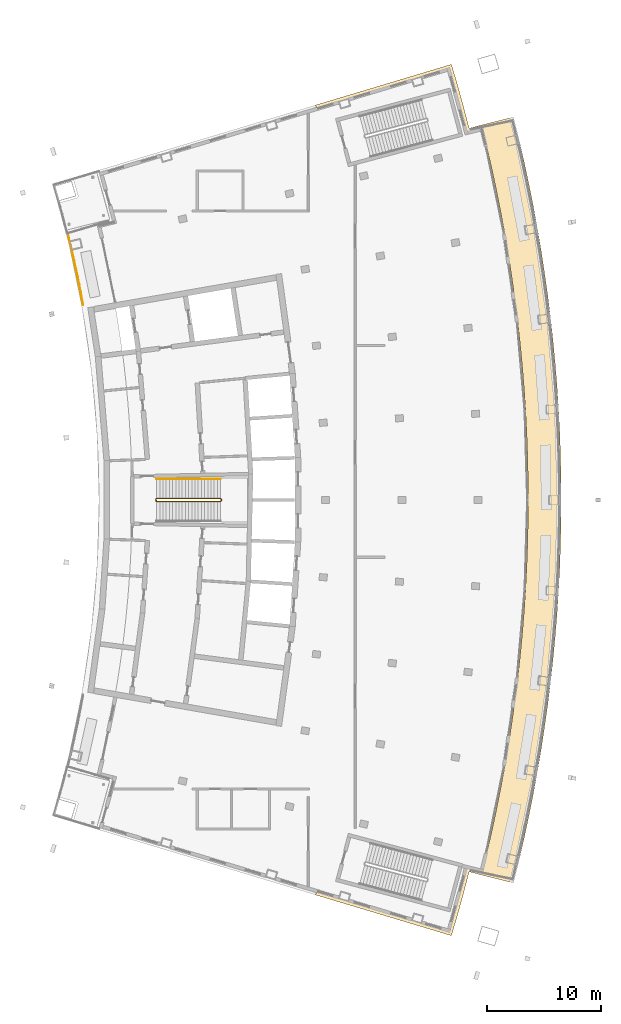
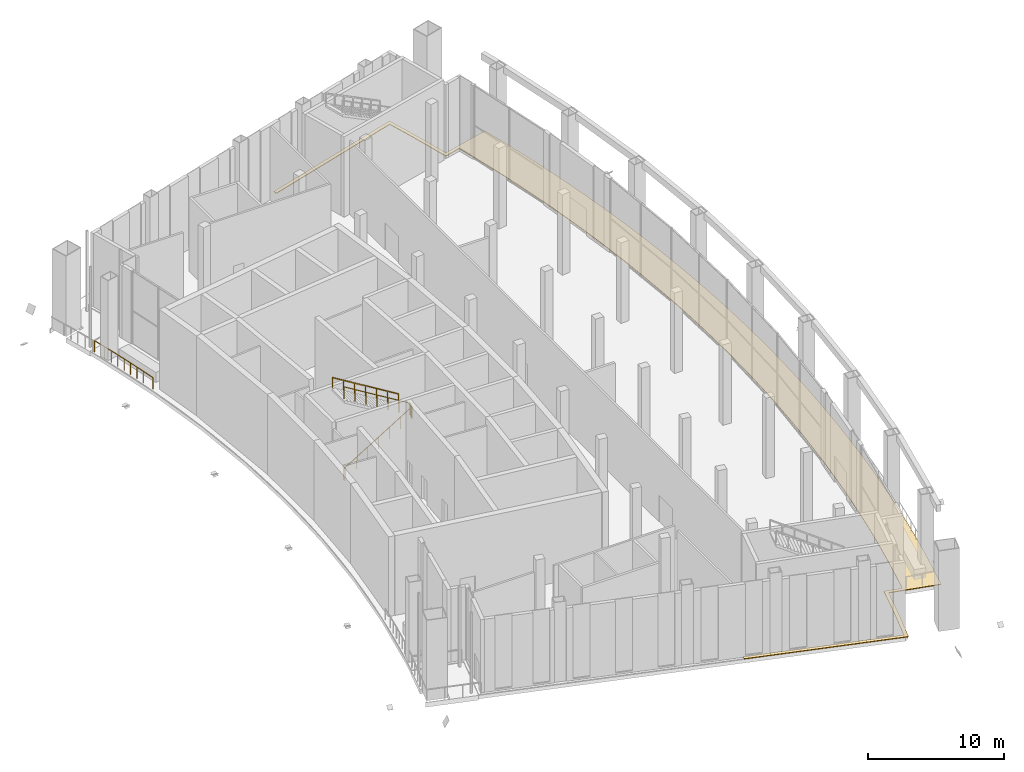
# One storey, part 22 of 25: 3 railings, 1 covering.
"""IFC4 building model written with IfcOpenShell, lengths in metres."""

from ifc_helpers import new_model, si_unit, direction, frame, origin, origin_2d, place, context, subcontext, project, spatial, polyline, rectangle, outline, extrude, material, layer, layer_set, type_object, element, save


model = new_model("IFC4")

# Units and contexts
model_context = context("Model", 3, precision=1e-05, world=origin(), true_north=direction((0.0, 1.0)))
body_context = subcontext(model_context, "Body", "Model", "MODEL_VIEW")
ifc_project = project(units=[si_unit("LENGTHUNIT", "METRE"), si_unit("AREAUNIT", "SQUARE_METRE"), si_unit("VOLUMEUNIT", "CUBIC_METRE"), si_unit("PLANEANGLEUNIT", "RADIAN"), si_unit("MASSUNIT", "GRAM", prefix="KILO")], contexts=[model_context])

# Site, building, storey
site_placement = place(None, origin())
site = spatial("IfcSite", under=ifc_project, at=site_placement, CompositionType="ELEMENT")
building_placement = place(site_placement, origin())
building = spatial("IfcBuilding", under=site, at=building_placement, Name="Alderwake Tower", CompositionType="ELEMENT")
storey_placement = place(building_placement, frame((0.0, 0.0, 288.800048828125)))
storey = spatial("IfcBuildingStorey", under=building, at=storey_placement, Name="L72", CompositionType="ELEMENT", Elevation=288.800048828125)

# Railing
ifc_material_1 = material(Name="Stainless steel 316 rail and posts", Category="steel")
railing_type_1 = type_object("IfcRailingType", Name="Balcony guard 1100", PredefinedType="GUARDRAIL", material=ifc_material_1)
railing_1_placement = place(storey_placement, frame((14.62890625, 78.035888671875, 0.0)))
element("IfcRailing", 1, at=railing_1_placement, inside=storey, type_object=railing_type_1, Name="Guard garden terrace rear", PredefinedType="GUARDRAIL", context=body_context, shape_type="SweptSolid", body=[
    extrude(rectangle(XDim=0.048095703125, YDim=0.048095703125, at=origin_2d()), frame((0.0, 0.0, 1.076171875), z_axis=(-0.182977626426, 0.983117077579, 0.0), x_axis=(-0.983117077579, -0.182977626426, 0.0)), (0.0, 0.0, 1.0), 1.10205078125),
    extrude(rectangle(XDim=0.048095703125, YDim=0.048095703125, at=origin_2d()), frame((-0.20166015625, 1.08349609375, 1.076171875), z_axis=(-0.1955468343, 0.980694364007, 0.0), x_axis=(-0.980694364007, -0.1955468343, 0.0)), (0.0, 0.0, 1.0), 1.402099609375),
    extrude(rectangle(XDim=0.048095703125, YDim=0.048095703125, at=origin_2d()), frame((-0.475830078125, 2.45849609375, 1.076171875), z_axis=(-0.209957084556, 0.977710602707, 0.0), x_axis=(-0.977710602707, -0.209957084556, 0.0)), (0.0, 0.0, 1.0), 1.40234375),
    extrude(rectangle(XDim=0.048095703125, YDim=0.048095703125, at=origin_2d()), frame((-0.770263671875, 3.82958984375, 1.076171875), z_axis=(-0.224096426432, 0.974566976488, 0.0), x_axis=(-0.974566976488, -0.224096426432, 0.0)), (0.0, 0.0, 1.0), 1.402099609375),
    extrude(rectangle(XDim=0.048095703125, YDim=0.048095703125, at=origin_2d()), frame((-1.08447265625, 5.196044921875, 1.076171875), z_axis=(-0.23679809516, 0.971558882481, 0.0), x_axis=(-0.971558882481, -0.23679809516, 0.0)), (0.0, 0.0, 1.0), 1.10205078125),
    extrude(rectangle(XDim=0.0419921875, YDim=0.0419921875, at=origin_2d()), frame((0.0, 0.0, 0.0), z_axis=(0.0, 0.0, 1.0), x_axis=(-0.182977626426, 0.983117077579, 0.0)), (0.0, 0.0, 1.0), 1.052001953125),
    extrude(rectangle(XDim=0.0419921875, YDim=0.0419921875, at=origin_2d()), frame((-0.20166015625, 1.08349609375, 0.0), z_axis=(0.0, 0.0, 1.0), x_axis=(-0.1955468343, 0.980694364007, 0.0)), (0.0, 0.0, 1.0), 1.052001953125),
    extrude(rectangle(XDim=0.0419921875, YDim=0.0419921875, at=origin_2d()), frame((-0.3388671875, 1.77099609375, 0.0), z_axis=(0.0, 0.0, 1.0), x_axis=(-0.1955468343, 0.980694364007, 0.0)), (0.0, 0.0, 1.0), 1.052001953125),
    extrude(rectangle(XDim=0.0419921875, YDim=0.0419921875, at=origin_2d()), frame((-0.475830078125, 2.45849609375, 0.0), z_axis=(0.0, 0.0, 1.0), x_axis=(-0.209957084556, 0.977710602707, 0.0)), (0.0, 0.0, 1.0), 1.052001953125),
    extrude(rectangle(XDim=0.0419921875, YDim=0.0419921875, at=origin_2d()), frame((-0.623046875, 3.14404296875, 0.0), z_axis=(0.0, 0.0, 1.0), x_axis=(-0.209957084556, 0.977710602707, 0.0)), (0.0, 0.0, 1.0), 1.052001953125),
    extrude(rectangle(XDim=0.0419921875, YDim=0.0419921875, at=origin_2d()), frame((-0.770263671875, 3.82958984375, 0.0), z_axis=(0.0, 0.0, 1.0), x_axis=(-0.224096426432, 0.974566976488, 0.0)), (0.0, 0.0, 1.0), 1.052001953125),
    extrude(rectangle(XDim=0.0419921875, YDim=0.0419921875, at=origin_2d()), frame((-0.92724609375, 4.5126953125, 0.0), z_axis=(0.0, 0.0, 1.0), x_axis=(-0.224096426432, 0.974566976488, 0.0)), (0.0, 0.0, 1.0), 1.052001953125),
    extrude(rectangle(XDim=0.0419921875, YDim=0.0419921875, at=origin_2d()), frame((-1.08447265625, 5.196044921875, 0.0), z_axis=(0.0, 0.0, 1.0), x_axis=(-0.23679809516, 0.971558882481, 0.0)), (0.0, 0.0, 1.0), 1.052001953125),
    extrude(rectangle(XDim=0.0419921875, YDim=0.0419921875, at=origin_2d()), frame((-1.345458984375, 6.266845703125, 0.0), z_axis=(0.0, 0.0, 1.0), x_axis=(-0.23679809516, 0.971558882481, 0.0)), (0.0, 0.0, 1.0), 1.052001953125),
])

# Covering
ifc_material_2 = material(Name="Bronze-grey porcelain paving on pedestals")
ifc_layer = layer(ifc_material_2, 0.06005859375)
ifc_layer_set = layer_set([ifc_layer], Name="Garden terrace paving 60")
covering_type = type_object("IfcCoveringType", Name="Garden terrace paving 60", PredefinedType="FLOORING", material=ifc_layer_set)
covering_placement = place(storey_placement, origin())
element("IfcCovering", 2, at=covering_placement, inside=storey, type_object=covering_type, Name="Garden terrace paving front", PredefinedType="FLOORING", context=body_context, shape_type="SweptSolid", body=[
    extrude(outline(polyline([(46.80810546875, 99.071533203125), (34.931884765625, 95.505859375), (34.931884765625, 95.505859375), (35.01611328125, 95.218017578125), (46.60498046875, 98.697265625), (47.061279296875, 97.135986328125), (47.57470703125, 95.279296875), (48.136962890625, 93.125), (49.48974609375, 93.467529296875), (49.88232421875, 91.8681640625), (50.318603515625, 89.970703125), (50.727294921875, 88.0673828125), (51.108154296875, 86.157958984375), (51.4609375, 84.243408203125), (51.785888671875, 82.323974609375), (52.0830078125, 80.39990234375), (52.351806640625, 78.4716796875), (52.592529296875, 76.539794921875), (52.804931640625, 74.6044921875), (52.9892578125, 72.666259765625), (53.145263671875, 70.725830078125), (53.27294921875, 68.783203125), (53.372314453125, 66.8388671875), (53.443115234375, 64.893310546875), (53.48583984375, 62.94677734375), (53.5, 61.0), (53.48583984375, 59.05322265625), (53.443115234375, 57.106689453125), (53.372314453125, 55.1611328125), (53.27294921875, 53.216796875), (53.145263671875, 51.274169921875), (52.9892578125, 49.333740234375), (52.804931640625, 47.3955078125), (52.592529296875, 45.460205078125), (52.351806640625, 43.5283203125), (52.0830078125, 41.60009765625), (51.785888671875, 39.676025390625), (51.4609375, 37.756591796875), (51.108154296875, 35.842041015625), (50.727294921875, 33.9326171875), (50.318603515625, 32.029296875), (49.88232421875, 30.1318359375), (49.48974609375, 28.532470703125), (48.136962890625, 28.875), (47.57470703125, 26.720703125), (47.061279296875, 24.864013671875), (46.60498046875, 23.302734375), (35.01611328125, 26.781982421875), (34.931884765625, 26.494140625), (34.931884765625, 26.494140625), (46.80810546875, 22.928466796875), (47.349853515625, 24.78173828125), (47.864501953125, 26.642822265625), (48.35205078125, 28.510986328125), (52.229736328125, 27.529541015625), (52.70361328125, 29.461181640625), (53.1494140625, 31.39990234375), (53.56689453125, 33.3447265625), (53.9560546875, 35.29541015625), (54.316650390625, 37.251708984375), (54.648681640625, 39.212890625), (54.9521484375, 41.1787109375), (55.226806640625, 43.14892578125), (55.472900390625, 45.122802734375), (55.68994140625, 47.10009765625), (55.878173828125, 49.080078125), (56.03759765625, 51.06298828125), (56.16796875, 53.0478515625), (56.26953125, 55.034423828125), (56.342041015625, 57.022216796875), (56.385498046875, 59.010986328125), (56.39990234375, 61.0), (56.385498046875, 62.989013671875), (56.342041015625, 64.977783203125), (56.26953125, 66.965576171875), (56.16796875, 68.9521484375), (56.03759765625, 70.93701171875), (55.878173828125, 72.919921875), (55.68994140625, 74.89990234375), (55.472900390625, 76.877197265625), (55.226806640625, 78.85107421875), (54.9521484375, 80.8212890625), (54.648681640625, 82.787109375), (54.316650390625, 84.748291015625), (53.9560546875, 86.70458984375), (53.56689453125, 88.6552734375), (53.1494140625, 90.60009765625), (52.70361328125, 92.538818359375), (52.229736328125, 94.470458984375), (48.35205078125, 93.489013671875), (47.864501953125, 95.357177734375), (47.349853515625, 97.21826171875), (46.80810546875, 99.071533203125)])), origin(), (0.0, 0.0, 1.0), 0.06005859375),
])

# Railings
ifc_material_3 = material(Name="Stainless steel guard", Category="steel")
railing_type_2 = type_object("IfcRailingType", Name="Stair guard 1100", PredefinedType="GUARDRAIL", material=ifc_material_3)
railing_2_placement = place(storey_placement, frame((20.989990234375, 60.925048828125, 0.0)))
element("IfcRailing", 3, at=railing_2_placement, inside=storey, type_object=railing_type_2, Name="L72 ST-B stair guard 1", PredefinedType="GUARDRAIL", context=body_context, shape_type="SweptSolid", body=[
    extrude(rectangle(XDim=0.048095703125, YDim=0.048095703125, at=origin_2d()), frame((0.0, 0.0, 1.076171875), z_axis=(0.0, 1.0, 0.0), x_axis=(-1.0, 0.0, 0.0)), (0.0, 0.0, 1.0), 0.14990234375),
    extrude(rectangle(XDim=0.048095703125, YDim=0.048095703125, at=origin_2d()), frame((0.0, 0.14990234375, 1.076171875), z_axis=(0.186704180588, -0.74590597025, 0.6393479745), x_axis=(0.970072785993, 0.242814311512, 0.0)), (0.0, 0.0, 1.0), 0.26806640625),
    extrude(rectangle(XDim=0.048095703125, YDim=0.048095703125, at=origin_2d()), frame((0.050048828125, -0.050048828125, 1.24755859375), z_axis=(0.852852317832, 0.0, 0.522152203833), x_axis=(0.0, 1.0, 0.0)), (0.0, 0.0, 1.0), 6.56591796875),
    extrude(rectangle(XDim=0.048095703125, YDim=0.048095703125, at=origin_2d()), frame((5.64990234375, -0.050048828125, 4.67578125), z_axis=(0.707106781187, 0.707106781187, 0.0), x_axis=(-0.707106781187, 0.707106781187, 0.0)), (0.0, 0.0, 1.0), 0.07080078125),
    extrude(rectangle(XDim=0.048095703125, YDim=0.048095703125, at=origin_2d()), frame((5.699951171875, 0.0, 4.67578125), z_axis=(0.0, 1.0, 0.0), x_axis=(-1.0, 0.0, 0.0)), (0.0, 0.0, 1.0), 0.14990234375),
    extrude(rectangle(XDim=0.048095703125, YDim=0.048095703125, at=origin_2d()), frame((5.699951171875, 0.14990234375, 4.67578125), z_axis=(-0.269583098496, 0.269583098496, 0.924472771914), x_axis=(-0.707106781187, -0.707106781187, 0.0)), (0.0, 0.0, 1.0), 0.185546875),
    extrude(rectangle(XDim=0.048095703125, YDim=0.048095703125, at=origin_2d()), frame((5.64990234375, 0.199951171875, 4.84765625), z_axis=(-0.852852317832, 0.0, 0.522152203833), x_axis=(0.0, -1.0, 0.0)), (0.0, 0.0, 1.0), 6.56591796875),
    extrude(rectangle(XDim=0.0419921875, YDim=0.0419921875, at=origin_2d()), frame((0.0, 0.0, 0.0), z_axis=(0.0, 0.0, 1.0), x_axis=(0.0, 1.0, 0.0)), (0.0, 0.0, 1.0), 1.052001953125),
    extrude(rectangle(XDim=0.0419921875, YDim=0.0419921875, at=origin_2d()), frame((0.0, 0.14990234375, 0.0), z_axis=(0.0, 0.0, 1.0), x_axis=(0.242814311512, -0.970072785993, 0.0)), (0.0, 0.0, 1.0), 1.052001953125),
    extrude(rectangle(XDim=0.0419921875, YDim=0.0419921875, at=origin_2d()), frame((0.050048828125, -0.050048828125, 0.17138671875), z_axis=(0.0, 0.0, 1.0), x_axis=(1.0, 0.0, 0.0)), (0.0, 0.0, 1.0), 1.052001953125),
    extrude(rectangle(XDim=0.0419921875, YDim=0.0419921875, at=origin_2d()), frame((0.9833984375, -0.050048828125, 0.74267578125), z_axis=(0.0, 0.0, 1.0), x_axis=(1.0, 0.0, 0.0)), (0.0, 0.0, 1.0), 1.052001953125),
    extrude(rectangle(XDim=0.0419921875, YDim=0.0419921875, at=origin_2d()), frame((1.916748046875, -0.050048828125, 1.314208984375), z_axis=(0.0, 0.0, 1.0), x_axis=(1.0, 0.0, 0.0)), (0.0, 0.0, 1.0), 1.052001953125),
    extrude(rectangle(XDim=0.0419921875, YDim=0.0419921875, at=origin_2d()), frame((2.85009765625, -0.050048828125, 1.8857421875), z_axis=(0.0, 0.0, 1.0), x_axis=(1.0, 0.0, 0.0)), (0.0, 0.0, 1.0), 1.052001953125),
    extrude(rectangle(XDim=0.0419921875, YDim=0.0419921875, at=origin_2d()), frame((3.783203125, -0.050048828125, 2.45703125), z_axis=(0.0, 0.0, 1.0), x_axis=(1.0, 0.0, 0.0)), (0.0, 0.0, 1.0), 1.052001953125),
    extrude(rectangle(XDim=0.0419921875, YDim=0.0419921875, at=origin_2d()), frame((4.716552734375, -0.050048828125, 3.0283203125), z_axis=(0.0, 0.0, 1.0), x_axis=(1.0, 0.0, 0.0)), (0.0, 0.0, 1.0), 1.052001953125),
    extrude(rectangle(XDim=0.0419921875, YDim=0.0419921875, at=origin_2d()), frame((5.64990234375, -0.050048828125, 3.599853515625), z_axis=(0.0, 0.0, 1.0), x_axis=(0.707106781187, 0.707106781187, 0.0)), (0.0, 0.0, 1.0), 1.052001953125),
    extrude(rectangle(XDim=0.0419921875, YDim=0.0419921875, at=origin_2d()), frame((5.699951171875, 0.0, 3.599853515625), z_axis=(0.0, 0.0, 1.0), x_axis=(0.0, 1.0, 0.0)), (0.0, 0.0, 1.0), 1.052001953125),
    extrude(rectangle(XDim=0.0419921875, YDim=0.0419921875, at=origin_2d()), frame((5.699951171875, 0.14990234375, 3.599853515625), z_axis=(0.0, 0.0, 1.0), x_axis=(-0.707106781187, 0.707106781187, 0.0)), (0.0, 0.0, 1.0), 1.052001953125),
    extrude(rectangle(XDim=0.0419921875, YDim=0.0419921875, at=origin_2d()), frame((5.64990234375, 0.199951171875, 3.771484375), z_axis=(0.0, 0.0, 1.0), x_axis=(-1.0, 0.0, 0.0)), (0.0, 0.0, 1.0), 1.052001953125),
    extrude(rectangle(XDim=0.0419921875, YDim=0.0419921875, at=origin_2d()), frame((4.716552734375, 0.199951171875, 4.3427734375), z_axis=(0.0, 0.0, 1.0), x_axis=(-1.0, 0.0, 0.0)), (0.0, 0.0, 1.0), 1.052001953125),
    extrude(rectangle(XDim=0.0419921875, YDim=0.0419921875, at=origin_2d()), frame((3.783203125, 0.199951171875, 4.914306640625), z_axis=(0.0, 0.0, 1.0), x_axis=(-1.0, 0.0, 0.0)), (0.0, 0.0, 1.0), 1.052001953125),
    extrude(rectangle(XDim=0.0419921875, YDim=0.0419921875, at=origin_2d()), frame((2.85009765625, 0.199951171875, 5.48583984375), z_axis=(0.0, 0.0, 1.0), x_axis=(-1.0, 0.0, 0.0)), (0.0, 0.0, 1.0), 1.052001953125),
    extrude(rectangle(XDim=0.0419921875, YDim=0.0419921875, at=origin_2d()), frame((1.916748046875, 0.199951171875, 6.05712890625), z_axis=(0.0, 0.0, 1.0), x_axis=(-1.0, 0.0, 0.0)), (0.0, 0.0, 1.0), 1.052001953125),
    extrude(rectangle(XDim=0.0419921875, YDim=0.0419921875, at=origin_2d()), frame((0.9833984375, 0.199951171875, 6.62841796875), z_axis=(0.0, 0.0, 1.0), x_axis=(-1.0, 0.0, 0.0)), (0.0, 0.0, 1.0), 1.052001953125),
    extrude(rectangle(XDim=0.0419921875, YDim=0.0419921875, at=origin_2d()), frame((0.050048828125, 0.199951171875, 7.199951171875), z_axis=(0.0, 0.0, 1.0), x_axis=(-1.0, 0.0, 0.0)), (0.0, 0.0, 1.0), 1.052001953125),
])
ifc_material_4 = material(Name="Stainless steel handrail", Category="steel")
railing_type_3 = type_object("IfcRailingType", Name="Stair handrail 900", PredefinedType="HANDRAIL", material=ifc_material_4)
railing_3_placement = place(storey_placement, frame((26.639892578125, 62.824951171875, 3.771484375)))
element("IfcRailing", 4, at=railing_3_placement, inside=storey, type_object=railing_type_3, Name="L72 ST-B stair handrail 2", PredefinedType="HANDRAIL", context=body_context, shape_type="SweptSolid", body=[
    extrude(rectangle(XDim=0.048095703125, YDim=0.048095703125, at=origin_2d()), frame((0.0, 0.0, 0.8759765625), z_axis=(-0.852852317832, 0.0, 0.522152203833), x_axis=(0.0, -1.0, 0.0)), (0.0, 0.0, 1.0), 6.56591796875),
    extrude(rectangle(XDim=0.0419921875, YDim=0.0419921875, at=origin_2d()), frame((0.0, 0.0, 0.0), z_axis=(0.0, 0.0, 1.0), x_axis=(-1.0, 0.0, 0.0)), (0.0, 0.0, 1.0), 0.851806640625),
    extrude(rectangle(XDim=0.0419921875, YDim=0.0419921875, at=origin_2d()), frame((-0.933349609375, 0.0, 0.5712890625), z_axis=(0.0, 0.0, 1.0), x_axis=(-1.0, 0.0, 0.0)), (0.0, 0.0, 1.0), 0.851806640625),
    extrude(rectangle(XDim=0.0419921875, YDim=0.0419921875, at=origin_2d()), frame((-1.86669921875, 0.0, 1.142822265625), z_axis=(0.0, 0.0, 1.0), x_axis=(-1.0, 0.0, 0.0)), (0.0, 0.0, 1.0), 0.851806640625),
    extrude(rectangle(XDim=0.0419921875, YDim=0.0419921875, at=origin_2d()), frame((-2.7998046875, 0.0, 1.71435546875), z_axis=(0.0, 0.0, 1.0), x_axis=(-1.0, 0.0, 0.0)), (0.0, 0.0, 1.0), 0.851806640625),
    extrude(rectangle(XDim=0.0419921875, YDim=0.0419921875, at=origin_2d()), frame((-3.733154296875, 0.0, 2.28564453125), z_axis=(0.0, 0.0, 1.0), x_axis=(-1.0, 0.0, 0.0)), (0.0, 0.0, 1.0), 0.851806640625),
    extrude(rectangle(XDim=0.0419921875, YDim=0.0419921875, at=origin_2d()), frame((-4.66650390625, 0.0, 2.85693359375), z_axis=(0.0, 0.0, 1.0), x_axis=(-1.0, 0.0, 0.0)), (0.0, 0.0, 1.0), 0.851806640625),
    extrude(rectangle(XDim=0.0419921875, YDim=0.0419921875, at=origin_2d()), frame((-5.599853515625, 0.0, 3.428466796875), z_axis=(0.0, 0.0, 1.0), x_axis=(-1.0, 0.0, 0.0)), (0.0, 0.0, 1.0), 0.851806640625),
])

save(model, "model.ifc")
